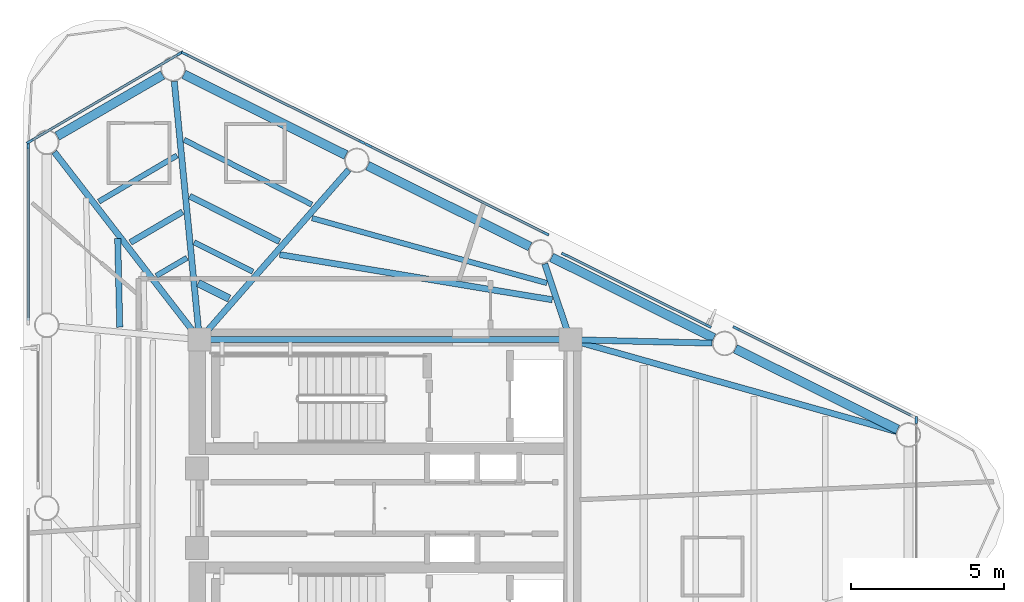
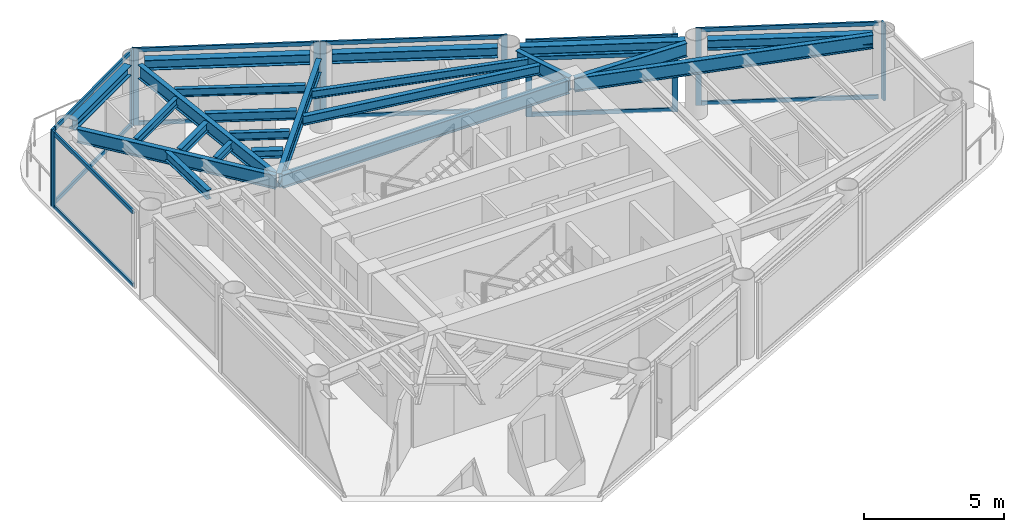
# One storey, part 3 of 10: 24 members, 22 beams, 7 elements without a shape of their own.
"""IFC4 building model written with IfcOpenShell, lengths in metres."""

from ifc_helpers import new_model, si_unit, direction, frame, origin, origin_2d, place, context, subcontext, project, spatial, rectangle, i_section, extrude, source, transform, mapped, material, layer, layer_set, material_profile, profile_set, type_object, element, aggregate, save


model = new_model("IFC4")

# Units and contexts
model_context = context("Model", 3, precision=1e-05, world=origin(), true_north=direction((0.0, 1.0)))
body_context = subcontext(model_context, "Body", "Model", "MODEL_VIEW")
ifc_project = project(units=[si_unit("LENGTHUNIT", "METRE"), si_unit("AREAUNIT", "SQUARE_METRE"), si_unit("VOLUMEUNIT", "CUBIC_METRE"), si_unit("PLANEANGLEUNIT", "RADIAN"), si_unit("MASSUNIT", "GRAM", prefix="KILO")], contexts=[model_context])

# Site, building, storey
site_placement = place(None, origin())
site = spatial("IfcSite", under=ifc_project, at=site_placement, CompositionType="ELEMENT")
building_placement = place(site_placement, origin())
building = spatial("IfcBuilding", under=site, at=building_placement, Name="Yunling Apex Tower", CompositionType="ELEMENT")
storey_placement = place(building_placement, frame((0.0, 0.0, 307.10009765625)))
storey = spatial("IfcBuildingStorey", under=building, at=storey_placement, Name="L75", CompositionType="ELEMENT", Elevation=307.10009765625)

# Beams
ifc_material_1 = material(Name="Steel Q355B", Category="steel")
ifc_material_profile_1 = material_profile(ifc_material_1, i_section(OverallWidth=0.199951171875, OverallDepth=0.60009765625, WebThickness=0.010986328125, FlangeThickness=0.01708984375, FilletRadius=0.02197265625, at=origin_2d()))
ifc_profile_set_1 = profile_set([ifc_material_profile_1], Name="Steel Q355B")
beam_type_1 = type_object("IfcBeamType", Name="BG-PRI-5", PredefinedType="USERDEFINED", material=ifc_profile_set_1)
shared_shape_1 = source(origin(), body_context, "Body", "SweptSolid", [
    extrude(i_section(OverallWidth=0.199951171875, OverallDepth=0.60009765625, WebThickness=0.010986328125, FlangeThickness=0.01708984375, FilletRadius=0.02197265625, at=origin_2d()), origin(), (0.0, 0.0, 1.0), 11.7998046875),
])
beam_1_placement = place(storey_placement, frame((5.89990234375, 5.5, 2.969970703125), z_axis=(-1.0, 0.0, 0.0), x_axis=(0.0, -1.0, 0.0)))
element("IfcBeam", 1, at=beam_1_placement, inside=storey, type_object=beam_type_1, Name="L75 Core Ring Tie Beam 3", ObjectType="GIRDER", PredefinedType="USERDEFINED", context=body_context, shape_type="MappedRepresentation", body=[
    mapped(shared_shape_1, transform((0.0, 0.0, 0.0), scale=1.0)),
])
ifc_material_profile_2 = material_profile(ifc_material_1, i_section(OverallWidth=0.300048828125, OverallDepth=0.43994140625, WebThickness=0.010986328125, FlangeThickness=0.01806640625, FilletRadius=0.02197265625, at=origin_2d()))
ifc_profile_set_2 = profile_set([ifc_material_profile_2], Name="Steel Q355B")
beam_type_2 = type_object("IfcBeamType", Name="BP-SPN-3", PredefinedType="SPANDREL", material=ifc_profile_set_2)
shared_shape_2 = source(origin(), body_context, "Body", "SweptSolid", [
    extrude(i_section(OverallWidth=0.300048828125, OverallDepth=0.43994140625, WebThickness=0.010986328125, FlangeThickness=0.01806640625, FilletRadius=0.02197265625, at=origin_2d()), origin(), (0.0, 0.0, 1.0), 5.914306640625),
])
for number, where, z_axis, x_axis, name in (
    (2, (4.733642578125, 8.539794921875, 3.0498046875), (-0.895267705164, 0.445528602999, 0.0), (-0.445528602999, -0.895267705164, 0.0), "L75 Perimeter Spandrel Beam 8"),
    (3, (-1.2666015625, 11.52587890625, 3.0498046875), (-0.895243044542, 0.445578153861, 0.0), (-0.445578153861, -0.895243044542, 0.0), "L75 Perimeter Spandrel Beam 9"),
):
    element("IfcBeam", number, at=place(storey_placement, frame(where, z_axis=z_axis, x_axis=x_axis)), inside=storey, type_object=beam_type_2, Name=name, PredefinedType="SPANDREL", context=body_context, shape_type="MappedRepresentation", body=[
        mapped(shared_shape_2, transform((0.0, 0.0, 0.0), scale=1.0)),
    ])
shared_shape_3 = source(origin(), body_context, "Body", "SweptSolid", [
    extrude(i_section(OverallWidth=0.300048828125, OverallDepth=0.43994140625, WebThickness=0.010986328125, FlangeThickness=0.01806640625, FilletRadius=0.02197265625, at=origin_2d()), origin(), (0.0, 0.0, 1.0), 5.9140625),
])
for number, where, z_axis, x_axis, name in (
    (4, (16.73388671875, 2.567138671875, 3.0498046875), (-0.895259510924, 0.445545068539, 0.0), (-0.445545068539, -0.895259510924, 0.0), "L75 Perimeter Spandrel Beam 6"),
    (5, (10.733642578125, 5.553466796875, 3.0498046875), (-0.895259510924, 0.445545068539, 0.0), (-0.445545068539, -0.895259510924, 0.0), "L75 Perimeter Spandrel Beam 7"),
):
    element("IfcBeam", number, at=place(storey_placement, frame(where, z_axis=z_axis, x_axis=x_axis)), inside=storey, type_object=beam_type_2, Name=name, PredefinedType="SPANDREL", context=body_context, shape_type="MappedRepresentation", body=[
        mapped(shared_shape_3, transform((0.0, 0.0, 0.0), scale=1.0)),
    ])
shared_shape_4 = source(origin(), body_context, "Body", "SweptSolid", [
    extrude(i_section(OverallWidth=0.300048828125, OverallDepth=0.43994140625, WebThickness=0.010986328125, FlangeThickness=0.01806640625, FilletRadius=0.02197265625, at=origin_2d()), origin(), (0.0, 0.0, 1.0), 3.978515625),
])
beam_2_placement = place(storey_placement, frame((-7.2548828125, 14.138916015625, 3.0498046875), z_axis=(-0.865064744393, -0.501660231639, 0.0), x_axis=(0.501660231639, -0.865064744393, 0.0)))
element("IfcBeam", 6, at=beam_2_placement, inside=storey, type_object=beam_type_2, Name="L75 Perimeter Spandrel Beam 10", PredefinedType="SPANDREL", context=body_context, shape_type="MappedRepresentation", body=[
    mapped(shared_shape_4, transform((0.0, 0.0, 0.0), scale=1.0)),
])
shared_shape_5 = source(origin(), body_context, "Body", "SweptSolid", [
    extrude(i_section(OverallWidth=0.199951171875, OverallDepth=0.60009765625, WebThickness=0.010986328125, FlangeThickness=0.01708984375, FilletRadius=0.02197265625, at=origin_2d()), origin(), (0.0, 0.0, 1.0), 8.390869140625),
])
beam_3_placement = place(storey_placement, frame((-6.874267578125, 13.9306640625, 2.969970703125), z_axis=(0.097296792844, -0.995255411491, 0.0), x_axis=(0.995255411491, 0.097296792844, 0.0)))
element("IfcBeam", 7, at=beam_3_placement, inside=storey, type_object=beam_type_1, Name="L75 Radial Primary Girder R10", ObjectType="GIRDER", PredefinedType="USERDEFINED", context=body_context, shape_type="MappedRepresentation", body=[
    mapped(shared_shape_5, transform((0.0, 0.0, 0.0), scale=1.0)),
])
shared_shape_6 = source(origin(), body_context, "Body", "SweptSolid", [
    extrude(i_section(OverallWidth=0.199951171875, OverallDepth=0.60009765625, WebThickness=0.010986328125, FlangeThickness=0.01708984375, FilletRadius=0.02197265625, at=origin_2d()), origin(), (0.0, 0.0, 1.0), 7.297119140625),
])
beam_4_placement = place(storey_placement, frame((-1.18310546875, 11.043701171875, 2.969970703125), z_axis=(-0.659747259747, -0.751487560281, 0.0), x_axis=(0.751487560281, -0.659747259747, 0.0)))
element("IfcBeam", 8, at=beam_4_placement, inside=storey, type_object=beam_type_1, Name="L75 Radial Primary Girder R09", ObjectType="GIRDER", PredefinedType="USERDEFINED", context=body_context, shape_type="MappedRepresentation", body=[
    mapped(shared_shape_6, transform((0.0, 0.0, 0.0), scale=1.0)),
])
shared_shape_7 = source(origin(), body_context, "Body", "SweptSolid", [
    extrude(i_section(OverallWidth=0.199951171875, OverallDepth=0.60009765625, WebThickness=0.010986328125, FlangeThickness=0.01708984375, FilletRadius=0.02197265625, at=origin_2d()), origin(), (0.0, 0.0, 1.0), 2.533935546875),
])
beam_5_placement = place(storey_placement, frame((5.21630859375, 7.977294921875, 2.969970703125), z_axis=(0.318914628896, -0.947783445454, 0.0), x_axis=(0.947783445454, 0.318914628896, 0.0)))
element("IfcBeam", 9, at=beam_5_placement, inside=storey, type_object=beam_type_1, Name="L75 Radial Primary Girder R08", ObjectType="GIRDER", PredefinedType="USERDEFINED", context=body_context, shape_type="MappedRepresentation", body=[
    mapped(shared_shape_7, transform((0.0, 0.0, 0.0), scale=1.0)),
])
shared_shape_8 = source(origin(), body_context, "Body", "SweptSolid", [
    extrude(i_section(OverallWidth=0.199951171875, OverallDepth=0.60009765625, WebThickness=0.010986328125, FlangeThickness=0.01708984375, FilletRadius=0.02197265625, at=origin_2d()), origin(), (0.0, 0.0, 1.0), 4.5498046875),
])
beam_6_placement = place(storey_placement, frame((10.678466796875, 5.3876953125, 2.969970703125), z_axis=(-0.999705840498, 0.024253504369, 0.0), x_axis=(-0.024253504369, -0.999705840498, 0.0)))
element("IfcBeam", 10, at=beam_6_placement, inside=storey, type_object=beam_type_1, Name="L75 Radial Primary Girder R07", ObjectType="GIRDER", PredefinedType="USERDEFINED", context=body_context, shape_type="MappedRepresentation", body=[
    mapped(shared_shape_8, transform((0.0, 0.0, 0.0), scale=1.0)),
])
shared_shape_9 = source(origin(), body_context, "Body", "SweptSolid", [
    extrude(i_section(OverallWidth=0.199951171875, OverallDepth=0.60009765625, WebThickness=0.010986328125, FlangeThickness=0.01708984375, FilletRadius=0.02197265625, at=origin_2d()), origin(), (0.0, 0.0, 1.0), 10.97802734375),
])
beam_7_placement = place(storey_placement, frame((16.69384765625, 2.502197265625, 2.969970703125), z_axis=(-0.962552702816, 0.271094622414, 0.0), x_axis=(-0.271094622414, -0.962552702816, 0.0)))
element("IfcBeam", 11, at=beam_7_placement, inside=storey, type_object=beam_type_1, Name="L75 Radial Primary Girder R06", ObjectType="GIRDER", PredefinedType="USERDEFINED", context=body_context, shape_type="MappedRepresentation", body=[
    mapped(shared_shape_9, transform((0.0, 0.0, 0.0), scale=1.0)),
])
shared_shape_10 = source(origin(), body_context, "Body", "SweptSolid", [
    extrude(i_section(OverallWidth=0.199951171875, OverallDepth=0.60009765625, WebThickness=0.010986328125, FlangeThickness=0.01708984375, FilletRadius=0.02197265625, at=origin_2d()), origin(), (0.0, 0.0, 1.0), 7.661376953125),
])
beam_8_placement = place(storey_placement, frame((-10.78759765625, 11.62255859375, 2.969970703125), z_axis=(0.611959789037, -0.790888877531, 0.0), x_axis=(0.790888877531, 0.611959789037, 0.0)))
element("IfcBeam", 12, at=beam_8_placement, inside=storey, type_object=beam_type_1, Name="L75 Radial Primary Girder R11", ObjectType="GIRDER", PredefinedType="USERDEFINED", context=body_context, shape_type="MappedRepresentation", body=[
    mapped(shared_shape_10, transform((0.0, 0.0, 0.0), scale=1.0)),
])
ifc_material_profile_3 = material_profile(ifc_material_1, i_section(OverallWidth=0.199951171875, OverallDepth=0.39990234375, WebThickness=0.008056640625, FlangeThickness=0.012939453125, FilletRadius=0.01611328125, at=origin_2d()))
ifc_profile_set_3 = profile_set([ifc_material_profile_3], Name="Steel Q355B")
beam_type_3 = type_object("IfcBeamType", Name="BS-SEC-4", PredefinedType="BEAM", material=ifc_profile_set_3)
shared_shape_11 = source(origin(), body_context, "Body", "SweptSolid", [
    extrude(i_section(OverallWidth=0.199951171875, OverallDepth=0.39990234375, WebThickness=0.008056640625, FlangeThickness=0.012939453125, FilletRadius=0.01611328125, at=origin_2d()), origin(), (0.0, 0.0, 1.0), 3.281494140625),
])
beam_9_placement = place(storey_placement, frame((-3.444091796875, 8.703125, 3.06982421875), z_axis=(-0.892364297468, 0.451315810275, 0.0), x_axis=(-0.451315810275, -0.892364297468, 0.0)))
element("IfcBeam", 13, at=beam_9_placement, inside=storey, type_object=beam_type_3, Name="L75 Composite Floor Beam BS-9", PredefinedType="BEAM", context=body_context, shape_type="MappedRepresentation", body=[
    mapped(shared_shape_11, transform((0.0, 0.0, 0.0), scale=1.0)),
])
ifc_material_profile_4 = material_profile(ifc_material_1, i_section(OverallWidth=0.175048828125, OverallDepth=0.35009765625, WebThickness=0.007080078125, FlangeThickness=0.010986328125, FilletRadius=0.013916015625, at=origin_2d()))
ifc_profile_set_4 = profile_set([ifc_material_profile_4], Name="Steel Q355B")
beam_type_4 = type_object("IfcBeamType", Name="BJ-JST-1", PredefinedType="JOIST", material=ifc_profile_set_4)
shared_shape_12 = source(origin(), body_context, "Body", "SweptSolid", [
    extrude(i_section(OverallWidth=0.175048828125, OverallDepth=0.35009765625, WebThickness=0.007080078125, FlangeThickness=0.010986328125, FilletRadius=0.013916015625, at=origin_2d()), origin(), (0.0, 0.0, 1.0), 4.67138671875),
])
beam_10_placement = place(storey_placement, frame((-2.385009765625, 9.90966796875, 3.094970703125), z_axis=(-0.892031280848, 0.45197366515, 0.0), x_axis=(-0.45197366515, -0.892031280848, 0.0)))
element("IfcBeam", 14, at=beam_10_placement, inside=storey, type_object=beam_type_4, Name="L75 Composite Floor Joist BJ1-9", PredefinedType="JOIST", context=body_context, shape_type="MappedRepresentation", body=[
    mapped(shared_shape_12, transform((0.0, 0.0, 0.0), scale=1.0)),
])
shared_shape_13 = source(origin(), body_context, "Body", "SweptSolid", [
    extrude(i_section(OverallWidth=0.175048828125, OverallDepth=0.35009765625, WebThickness=0.007080078125, FlangeThickness=0.010986328125, FilletRadius=0.013916015625, at=origin_2d()), origin(), (0.0, 0.0, 1.0), 2.143798828125),
])
beam_11_placement = place(storey_placement, frame((-4.310791015625, 7.7158203125, 3.094970703125), z_axis=(-0.892941835578, 0.45017205408, 0.0), x_axis=(-0.45017205408, -0.892941835578, 0.0)))
element("IfcBeam", 15, at=beam_11_placement, inside=storey, type_object=beam_type_4, Name="L75 Composite Floor Joist BJ3-9", PredefinedType="JOIST", context=body_context, shape_type="MappedRepresentation", body=[
    mapped(shared_shape_13, transform((0.0, 0.0, 0.0), scale=1.0)),
])
ifc_material_profile_5 = material_profile(ifc_material_1, i_section(OverallWidth=0.25, OverallDepth=0.340087890625, WebThickness=0.009033203125, FlangeThickness=0.013916015625, FilletRadius=0.01806640625, at=origin_2d()))
ifc_profile_set_5 = profile_set([ifc_material_profile_5], Name="Steel Q355B")
beam_type_5 = type_object("IfcBeamType", Name="BJ-JST-2", PredefinedType="JOIST", material=ifc_profile_set_5)
shared_shape_14 = source(origin(), body_context, "Body", "SweptSolid", [
    extrude(i_section(OverallWidth=0.25, OverallDepth=0.340087890625, WebThickness=0.009033203125, FlangeThickness=0.013916015625, FilletRadius=0.01806640625, at=origin_2d()), origin(), (0.0, 0.0, 1.0), 1.1328125),
])
beam_12_placement = place(storey_placement, frame((-5.081298828125, 6.838134765625, 3.099853515625), z_axis=(-0.894211562533, 0.447644592765, 0.0), x_axis=(-0.447644592765, -0.894211562533, 0.0)))
element("IfcBeam", 16, at=beam_12_placement, inside=storey, type_object=beam_type_5, Name="L75 Composite Floor Joist BJ2-9", PredefinedType="JOIST", context=body_context, shape_type="MappedRepresentation", body=[
    mapped(shared_shape_14, transform((0.0, 0.0, 0.0), scale=1.0)),
])
shared_shape_15 = source(origin(), body_context, "Body", "SweptSolid", [
    extrude(i_section(OverallWidth=0.199951171875, OverallDepth=0.39990234375, WebThickness=0.008056640625, FlangeThickness=0.012939453125, FilletRadius=0.01611328125, at=origin_2d()), origin(), (0.0, 0.0, 1.0), 9.01611328125),
])
beam_13_placement = place(storey_placement, frame((5.462646484375, 6.802734375, 3.06982421875), z_axis=(-0.986561729833, 0.163388962996, 0.0), x_axis=(-0.163388962996, -0.986561729833, 0.0)))
element("IfcBeam", 17, at=beam_13_placement, inside=storey, type_object=beam_type_3, Name="L75 Composite Floor Beam BS-8", PredefinedType="BEAM", context=body_context, shape_type="MappedRepresentation", body=[
    mapped(shared_shape_15, transform((0.0, 0.0, 0.0), scale=1.0)),
])
shared_shape_16 = source(origin(), body_context, "Body", "SweptSolid", [
    extrude(i_section(OverallWidth=0.175048828125, OverallDepth=0.35009765625, WebThickness=0.007080078125, FlangeThickness=0.010986328125, FilletRadius=0.013916015625, at=origin_2d()), origin(), (0.0, 0.0, 1.0), 7.952392578125),
])
beam_14_placement = place(storey_placement, frame((5.288330078125, 7.34765625, 3.094970703125), z_axis=(-0.963874198485, 0.266357897377, 0.0), x_axis=(-0.266357897377, -0.963874198485, 0.0)))
element("IfcBeam", 18, at=beam_14_placement, inside=storey, type_object=beam_type_4, Name="L75 Composite Floor Joist BJ1-8", PredefinedType="JOIST", context=body_context, shape_type="MappedRepresentation", body=[
    mapped(shared_shape_16, transform((0.0, 0.0, 0.0), scale=1.0)),
])
shared_shape_17 = source(origin(), body_context, "Body", "SweptSolid", [
    extrude(i_section(OverallWidth=0.199951171875, OverallDepth=0.39990234375, WebThickness=0.008056640625, FlangeThickness=0.012939453125, FilletRadius=0.01611328125, at=origin_2d()), origin(), (0.0, 0.0, 1.0), 1.9736328125),
])
beam_15_placement = place(storey_placement, frame((-6.60400390625, 9.674072265625, 3.06982421875), z_axis=(-0.862118606545, -0.506706530694, 0.0), x_axis=(0.506706530694, -0.862118606545, 0.0)))
element("IfcBeam", 19, at=beam_15_placement, inside=storey, type_object=beam_type_3, Name="L75 Composite Floor Beam BS-10", PredefinedType="BEAM", context=body_context, shape_type="MappedRepresentation", body=[
    mapped(shared_shape_17, transform((0.0, 0.0, 0.0), scale=1.0)),
])
shared_shape_18 = source(origin(), body_context, "Body", "SweptSolid", [
    extrude(i_section(OverallWidth=0.175048828125, OverallDepth=0.35009765625, WebThickness=0.007080078125, FlangeThickness=0.010986328125, FilletRadius=0.013916015625, at=origin_2d()), origin(), (0.0, 0.0, 1.0), 2.96337890625),
])
beam_16_placement = place(storey_placement, frame((-6.783447265625, 11.510986328125, 3.094970703125), z_axis=(-0.861658767358, -0.507488097038, 0.0), x_axis=(0.507488097038, -0.861658767358, 0.0)))
element("IfcBeam", 20, at=beam_16_placement, inside=storey, type_object=beam_type_4, Name="L75 Composite Floor Joist BJ1-10", PredefinedType="JOIST", context=body_context, shape_type="MappedRepresentation", body=[
    mapped(shared_shape_18, transform((0.0, 0.0, 0.0), scale=1.0)),
])
shared_shape_19 = source(origin(), body_context, "Body", "SweptSolid", [
    extrude(i_section(OverallWidth=0.175048828125, OverallDepth=0.35009765625, WebThickness=0.007080078125, FlangeThickness=0.010986328125, FilletRadius=0.013916015625, at=origin_2d()), origin(), (0.0, 0.0, 1.0), 1.16357421875),
])
beam_17_placement = place(storey_placement, frame((-6.457275390625, 8.171142578125, 3.094970703125), z_axis=(-0.862833680606, -0.50548792232, 0.0), x_axis=(0.50548792232, -0.862833680606, 0.0)))
element("IfcBeam", 21, at=beam_17_placement, inside=storey, type_object=beam_type_4, Name="L75 Composite Floor Joist BJ3-10", PredefinedType="JOIST", context=body_context, shape_type="MappedRepresentation", body=[
    mapped(shared_shape_19, transform((0.0, 0.0, 0.0), scale=1.0)),
])
shared_shape_20 = source(origin(), body_context, "Body", "SweptSolid", [
    extrude(i_section(OverallWidth=0.199951171875, OverallDepth=0.39990234375, WebThickness=0.008056640625, FlangeThickness=0.012939453125, FilletRadius=0.01611328125, at=origin_2d()), origin(), (0.0, 0.0, 1.0), 2.890869140625),
])
beam_18_placement = place(storey_placement, frame((-8.720947265625, 8.796630859375, 3.06982421875), z_axis=(0.023139604217, -0.999732243512, 0.0), x_axis=(0.999732243512, 0.023139604217, 0.0)))
element("IfcBeam", 22, at=beam_18_placement, inside=storey, type_object=beam_type_3, Name="L75 Composite Floor Beam BS-11", PredefinedType="BEAM", context=body_context, shape_type="MappedRepresentation", body=[
    mapped(shared_shape_20, transform((0.0, 0.0, 0.0), scale=1.0)),
])

# Curtain wall, member
ifc_material_2 = material(Name="Bronze anodised aluminium", Category="aluminium")
ifc_layer = layer(ifc_material_2, 0.219970703125)
ifc_layer_set = layer_set([ifc_layer], Name="Bronze anodised aluminium")
curtain_wall_type = type_object("IfcCurtainWallType", Name="CW-SYS-4", PredefinedType="NOTDEFINED", material=ifc_layer_set)
curtain_wall_1_placement = place(storey_placement, origin())
curtain_wall_1 = element("IfcCurtainWall", 23, at=curtain_wall_1_placement, inside=storey, type_object=curtain_wall_type, Name="CW-L75-CRN1", PredefinedType="NOTDEFINED")
ifc_material_profile_6 = material_profile(ifc_material_2, rectangle(XDim=0.080078125, YDim=0.219970703125, at=origin_2d()))
ifc_profile_set_6 = profile_set([ifc_material_profile_6], Name="Bronze anodised aluminium")
member_type_1 = type_object("IfcMemberType", Name="CW-MUL-4", PredefinedType="MULLION", material=ifc_profile_set_6)
shared_shape_21 = source(origin(), body_context, "Body", "SweptSolid", [
    extrude(rectangle(XDim=0.080078125, YDim=0.219970703125, at=origin_2d()), origin(), (0.0, 0.0, 1.0), 3.369873046875),
])
member_1_placement = place(storey_placement, frame((17.349365234375, 2.879638671875, -0.050048828125), z_axis=(0.0, 0.0, 1.0), x_axis=(-1.0, 0.0, 0.0)))
member_1 = element("IfcMember", 24, at=member_1_placement, type_object=member_type_1, Name="CW-SYS-4 mullion 2", PredefinedType="MULLION", context=body_context, shape_type="MappedRepresentation", body=[
    mapped(shared_shape_21, transform((0.0, 0.0, 0.0), scale=1.0)),
])
aggregate(curtain_wall_1, [member_1])

curtain_wall_2_placement = place(storey_placement, origin())
curtain_wall_2 = element("IfcCurtainWall", 25, at=curtain_wall_2_placement, inside=storey, type_object=curtain_wall_type, Name="CW-L75-F2-B1", PredefinedType="NOTDEFINED")
member_2_placement = place(storey_placement, frame((11.465576171875, 5.870361328125, -0.050048828125), z_axis=(0.0, 0.0, 1.0), x_axis=(-0.445568135078, -0.895248030996, 0.0)))
member_2 = element("IfcMember", 26, at=member_2_placement, type_object=member_type_1, Name="CW-SYS-4 mullion 2", PredefinedType="MULLION", context=body_context, shape_type="MappedRepresentation", body=[
    mapped(shared_shape_21, transform((0.0, 0.0, 0.0), scale=1.0)),
])

# Curtain wall, members
curtain_wall_3_placement = place(storey_placement, origin())
curtain_wall_3 = element("IfcCurtainWall", 27, at=curtain_wall_3_placement, inside=storey, type_object=curtain_wall_type, Name="CW-L75-F2-B2", PredefinedType="NOTDEFINED")
member_3_placement = place(storey_placement, frame((10.544189453125, 5.94921875, -0.050048828125), z_axis=(0.0, 0.0, 1.0), x_axis=(-0.445583360305, -0.895240453185, 0.0)))
member_3 = element("IfcMember", 28, at=member_3_placement, type_object=member_type_1, Name="CW-SYS-4 mullion 1", PredefinedType="MULLION", context=body_context, shape_type="MappedRepresentation", body=[
    mapped(shared_shape_21, transform((0.0, 0.0, 0.0), scale=1.0)),
])
member_4_placement = place(storey_placement, frame((5.869140625, 8.276123046875, -0.050048828125), z_axis=(0.0, 0.0, 1.0), x_axis=(-0.445583360305, -0.895240453185, 0.0)))
member_4 = element("IfcMember", 29, at=member_4_placement, type_object=member_type_1, Name="CW-SYS-4 mullion 2", PredefinedType="MULLION", context=body_context, shape_type="MappedRepresentation", body=[
    mapped(shared_shape_21, transform((0.0, 0.0, 0.0), scale=1.0)),
])

curtain_wall_4_placement = place(storey_placement, origin())
curtain_wall_4 = element("IfcCurtainWall", 30, at=curtain_wall_4_placement, inside=storey, type_object=curtain_wall_type, Name="CW-L75-F2-B3", PredefinedType="NOTDEFINED")
member_5_placement = place(storey_placement, frame((5.250732421875, 8.963623046875, -0.050048828125), z_axis=(0.0, 0.0, 1.0), x_axis=(-0.445562037917, -0.895251065549, 0.0)))
member_5 = element("IfcMember", 31, at=member_5_placement, type_object=member_type_1, Name="CW-SYS-4 mullion 1", PredefinedType="MULLION", context=body_context, shape_type="MappedRepresentation", body=[
    mapped(shared_shape_21, transform((0.0, 0.0, 0.0), scale=1.0)),
])
member_6_placement = place(storey_placement, frame((-0.53466796875, 11.843017578125, -0.050048828125), z_axis=(0.0, 0.0, 1.0), x_axis=(-0.445562037917, -0.895251065549, 0.0)))
member_6 = element("IfcMember", 32, at=member_6_placement, type_object=member_type_1, Name="CW-SYS-4 mullion 2", PredefinedType="MULLION", context=body_context, shape_type="MappedRepresentation", body=[
    mapped(shared_shape_21, transform((0.0, 0.0, 0.0), scale=1.0)),
])

curtain_wall_5_placement = place(storey_placement, origin())
curtain_wall_5 = element("IfcCurtainWall", 33, at=curtain_wall_5_placement, inside=storey, type_object=curtain_wall_type, Name="CW-L75-F2-B4", PredefinedType="NOTDEFINED")
member_7_placement = place(storey_placement, frame((-0.74951171875, 11.949951171875, -0.050048828125), z_axis=(0.0, 0.0, 1.0), x_axis=(-0.445568135078, -0.895248030996, 0.0)))
member_7 = element("IfcMember", 34, at=member_7_placement, type_object=member_type_1, Name="CW-SYS-4 mullion 1", PredefinedType="MULLION", context=body_context, shape_type="MappedRepresentation", body=[
    mapped(shared_shape_21, transform((0.0, 0.0, 0.0), scale=1.0)),
])
member_8_placement = place(storey_placement, frame((-6.534912109375, 14.829345703125, -0.050048828125), z_axis=(0.0, 0.0, 1.0), x_axis=(-0.445568135078, -0.895248030996, 0.0)))
member_8 = element("IfcMember", 35, at=member_8_placement, type_object=member_type_1, Name="CW-SYS-4 mullion 2", PredefinedType="MULLION", context=body_context, shape_type="MappedRepresentation", body=[
    mapped(shared_shape_21, transform((0.0, 0.0, 0.0), scale=1.0)),
])

curtain_wall_6_placement = place(storey_placement, origin())
curtain_wall_6 = element("IfcCurtainWall", 36, at=curtain_wall_6_placement, inside=storey, type_object=curtain_wall_type, Name="CW-L75-CRN2", PredefinedType="NOTDEFINED")
member_9_placement = place(storey_placement, frame((-6.685546875, 14.8447265625, -0.050048828125), z_axis=(0.0, 0.0, 1.0), x_axis=(0.506057076658, -0.862499991399, 0.0)))
member_9 = element("IfcMember", 37, at=member_9_placement, type_object=member_type_1, Name="CW-SYS-4 mullion 1", PredefinedType="MULLION", context=body_context, shape_type="MappedRepresentation", body=[
    mapped(shared_shape_21, transform((0.0, 0.0, 0.0), scale=1.0)),
])
member_10_placement = place(storey_placement, frame((-11.5927734375, 11.965576171875, -0.050048828125), z_axis=(0.0, 0.0, 1.0), x_axis=(0.506057076658, -0.862499991399, 0.0)))
member_10 = element("IfcMember", 38, at=member_10_placement, type_object=member_type_1, Name="CW-SYS-4 mullion 2", PredefinedType="MULLION", context=body_context, shape_type="MappedRepresentation", body=[
    mapped(shared_shape_21, transform((0.0, 0.0, 0.0), scale=1.0)),
])

# Curtain wall, member
curtain_wall_7_placement = place(storey_placement, origin())
curtain_wall_7 = element("IfcCurtainWall", 39, at=curtain_wall_7_placement, inside=storey, type_object=curtain_wall_type, Name="CW-L75-F3-B1", PredefinedType="NOTDEFINED")
member_11_placement = place(storey_placement, frame((-11.647216796875, 11.8251953125, -0.050048828125), z_axis=(0.0, 0.0, 1.0), x_axis=(1.0, 0.0, 0.0)))
member_11 = element("IfcMember", 40, at=member_11_placement, type_object=member_type_1, Name="CW-SYS-4 mullion 1", PredefinedType="MULLION", context=body_context, shape_type="MappedRepresentation", body=[
    mapped(shared_shape_21, transform((0.0, 0.0, 0.0), scale=1.0)),
])

# Member
ifc_material_profile_7 = material_profile(ifc_material_2, rectangle(XDim=0.080078125, YDim=0.169921875, at=origin_2d()))
ifc_profile_set_7 = profile_set([ifc_material_profile_7], Name="Bronze anodised aluminium")
member_type_2 = type_object("IfcMemberType", Name="CW-TRN-4", PredefinedType="USERDEFINED", material=ifc_profile_set_7)
shared_shape_22 = source(origin(), body_context, "Body", "SweptSolid", [
    extrude(rectangle(XDim=0.080078125, YDim=0.169921875, at=origin_2d()), origin(), (0.0, 0.0, 1.0), 6.39013671875),
])
member_12_placement = place(storey_placement, frame((-0.78173828125, 11.966064453125, 0.039794921875), z_axis=(-0.89525092504, 0.445562320238, 0.0), x_axis=(-0.445562320238, -0.89525092504, 0.0)))
member_12 = element("IfcMember", 41, at=member_12_placement, type_object=member_type_2, Name="CW-SYS-4 transom 1.1", ObjectType="TRANSOM", PredefinedType="USERDEFINED", context=body_context, shape_type="MappedRepresentation", body=[
    mapped(shared_shape_22, transform((0.0, 0.0, 0.0), scale=1.0)),
])

member_13_placement = place(storey_placement, frame((-0.78173828125, 11.966064453125, 3.22998046875), z_axis=(-0.89525092504, 0.445562320238, 0.0), x_axis=(-0.445562320238, -0.89525092504, 0.0)))
member_13 = element("IfcMember", 42, at=member_13_placement, type_object=member_type_2, Name="CW-SYS-4 transom 1.2", ObjectType="TRANSOM", PredefinedType="USERDEFINED", context=body_context, shape_type="MappedRepresentation", body=[
    mapped(shared_shape_22, transform((0.0, 0.0, 0.0), scale=1.0)),
])

aggregate(curtain_wall_5, [member_7, member_8, member_12, member_13])

shared_shape_23 = source(origin(), body_context, "Body", "SweptSolid", [
    extrude(rectangle(XDim=0.080078125, YDim=0.169921875, at=origin_2d()), origin(), (0.0, 0.0, 1.0), 6.390380859375),
])
member_14_placement = place(storey_placement, frame((17.21875, 3.007080078125, 0.039794921875), z_axis=(-0.895258509594, 0.445547080565, 0.0), x_axis=(-0.445547080565, -0.895258509594, 0.0)))
member_14 = element("IfcMember", 43, at=member_14_placement, type_object=member_type_2, Name="CW-SYS-4 transom 1.1", ObjectType="TRANSOM", PredefinedType="USERDEFINED", context=body_context, shape_type="MappedRepresentation", body=[
    mapped(shared_shape_23, transform((0.0, 0.0, 0.0), scale=1.0)),
])

member_15_placement = place(storey_placement, frame((17.21875, 3.007080078125, 3.22998046875), z_axis=(-0.895258509594, 0.445547080565, 0.0), x_axis=(-0.445547080565, -0.895258509594, 0.0)))
member_15 = element("IfcMember", 44, at=member_15_placement, type_object=member_type_2, Name="CW-SYS-4 transom 1.2", ObjectType="TRANSOM", PredefinedType="USERDEFINED", context=body_context, shape_type="MappedRepresentation", body=[
    mapped(shared_shape_23, transform((0.0, 0.0, 0.0), scale=1.0)),
])

aggregate(curtain_wall_2, [member_2, member_14, member_15])

member_16_placement = place(storey_placement, frame((5.218505859375, 8.979736328125, 0.039794921875), z_axis=(-0.895243270113, 0.44557770065, 0.0), x_axis=(-0.44557770065, -0.895243270113, 0.0)))
member_16 = element("IfcMember", 45, at=member_16_placement, type_object=member_type_2, Name="CW-SYS-4 transom 1.1", ObjectType="TRANSOM", PredefinedType="USERDEFINED", context=body_context, shape_type="MappedRepresentation", body=[
    mapped(shared_shape_23, transform((0.0, 0.0, 0.0), scale=1.0)),
])

member_17_placement = place(storey_placement, frame((5.218505859375, 8.979736328125, 3.22998046875), z_axis=(-0.895243270113, 0.44557770065, 0.0), x_axis=(-0.44557770065, -0.895243270113, 0.0)))
member_17 = element("IfcMember", 46, at=member_17_placement, type_object=member_type_2, Name="CW-SYS-4 transom 1.2", ObjectType="TRANSOM", PredefinedType="USERDEFINED", context=body_context, shape_type="MappedRepresentation", body=[
    mapped(shared_shape_23, transform((0.0, 0.0, 0.0), scale=1.0)),
])

aggregate(curtain_wall_4, [member_5, member_6, member_16, member_17])

shared_shape_24 = source(origin(), body_context, "Body", "SweptSolid", [
    extrude(rectangle(XDim=0.080078125, YDim=0.169921875, at=origin_2d()), origin(), (0.0, 0.0, 1.0), 5.150146484375),
])
member_18_placement = place(storey_placement, frame((10.511962890625, 5.96533203125, 0.039794921875), z_axis=(-0.895231613188, 0.445601120676, 0.0), x_axis=(-0.445601120676, -0.895231613188, 0.0)))
member_18 = element("IfcMember", 47, at=member_18_placement, type_object=member_type_2, Name="CW-SYS-4 transom 1.1", ObjectType="TRANSOM", PredefinedType="USERDEFINED", context=body_context, shape_type="MappedRepresentation", body=[
    mapped(shared_shape_24, transform((0.0, 0.0, 0.0), scale=1.0)),
])

member_19_placement = place(storey_placement, frame((10.511962890625, 5.96533203125, 2.485107421875), z_axis=(-0.895231613188, 0.445601120676, 0.0), x_axis=(-0.445601120676, -0.895231613188, 0.0)))
member_19 = element("IfcMember", 48, at=member_19_placement, type_object=member_type_2, Name="CW-SYS-4 transom 1.2", ObjectType="TRANSOM", PredefinedType="USERDEFINED", context=body_context, shape_type="MappedRepresentation", body=[
    mapped(shared_shape_24, transform((0.0, 0.0, 0.0), scale=1.0)),
])

member_20_placement = place(storey_placement, frame((10.511962890625, 5.96533203125, 3.22998046875), z_axis=(-0.895231613188, 0.445601120676, 0.0), x_axis=(-0.445601120676, -0.895231613188, 0.0)))
member_20 = element("IfcMember", 49, at=member_20_placement, type_object=member_type_2, Name="CW-SYS-4 transom 1.3", ObjectType="TRANSOM", PredefinedType="USERDEFINED", context=body_context, shape_type="MappedRepresentation", body=[
    mapped(shared_shape_24, transform((0.0, 0.0, 0.0), scale=1.0)),
])

aggregate(curtain_wall_3, [member_3, member_4, member_18, member_19, member_20])

shared_shape_25 = source(origin(), body_context, "Body", "SweptSolid", [
    extrude(rectangle(XDim=0.080078125, YDim=0.169921875, at=origin_2d()), origin(), (0.0, 0.0, 1.0), 5.61767578125),
])
member_21_placement = place(storey_placement, frame((-6.716552734375, 14.82666015625, 0.039794921875), z_axis=(-0.862486715055, -0.506079703558, 0.0), x_axis=(0.506079703558, -0.862486715055, 0.0)))
member_21 = element("IfcMember", 50, at=member_21_placement, type_object=member_type_2, Name="CW-SYS-4 transom 1.1", ObjectType="TRANSOM", PredefinedType="USERDEFINED", context=body_context, shape_type="MappedRepresentation", body=[
    mapped(shared_shape_25, transform((0.0, 0.0, 0.0), scale=1.0)),
])

member_22_placement = place(storey_placement, frame((-6.716552734375, 14.82666015625, 3.22998046875), z_axis=(-0.862486715055, -0.506079703558, 0.0), x_axis=(0.506079703558, -0.862486715055, 0.0)))
member_22 = element("IfcMember", 51, at=member_22_placement, type_object=member_type_2, Name="CW-SYS-4 transom 1.2", ObjectType="TRANSOM", PredefinedType="USERDEFINED", context=body_context, shape_type="MappedRepresentation", body=[
    mapped(shared_shape_25, transform((0.0, 0.0, 0.0), scale=1.0)),
])

aggregate(curtain_wall_6, [member_9, member_10, member_21, member_22])

shared_shape_26 = source(origin(), body_context, "Body", "SweptSolid", [
    extrude(rectangle(XDim=0.080078125, YDim=0.169921875, at=origin_2d()), origin(), (0.0, 0.0, 1.0), 5.66064453125),
])
member_23_placement = place(storey_placement, frame((-11.647216796875, 11.789306640625, 0.039794921875), z_axis=(0.0, -1.0, 0.0), x_axis=(1.0, 0.0, 0.0)))
member_23 = element("IfcMember", 52, at=member_23_placement, type_object=member_type_2, Name="CW-SYS-4 transom 1.1", ObjectType="TRANSOM", PredefinedType="USERDEFINED", context=body_context, shape_type="MappedRepresentation", body=[
    mapped(shared_shape_26, transform((0.0, 0.0, 0.0), scale=1.0)),
])

member_24_placement = place(storey_placement, frame((-11.647216796875, 11.789306640625, 3.22998046875), z_axis=(0.0, -1.0, 0.0), x_axis=(1.0, 0.0, 0.0)))
member_24 = element("IfcMember", 53, at=member_24_placement, type_object=member_type_2, Name="CW-SYS-4 transom 1.2", ObjectType="TRANSOM", PredefinedType="USERDEFINED", context=body_context, shape_type="MappedRepresentation", body=[
    mapped(shared_shape_26, transform((0.0, 0.0, 0.0), scale=1.0)),
])

aggregate(curtain_wall_7, [member_11, member_23, member_24])

save(model, "model.ifc")
